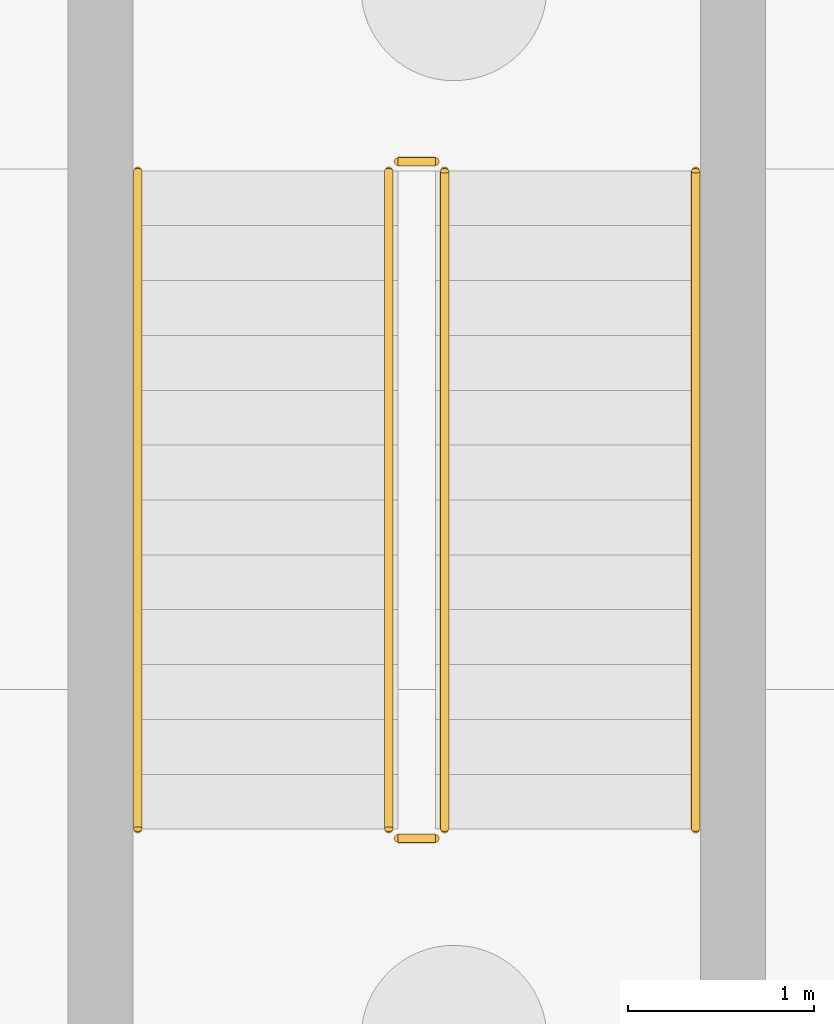
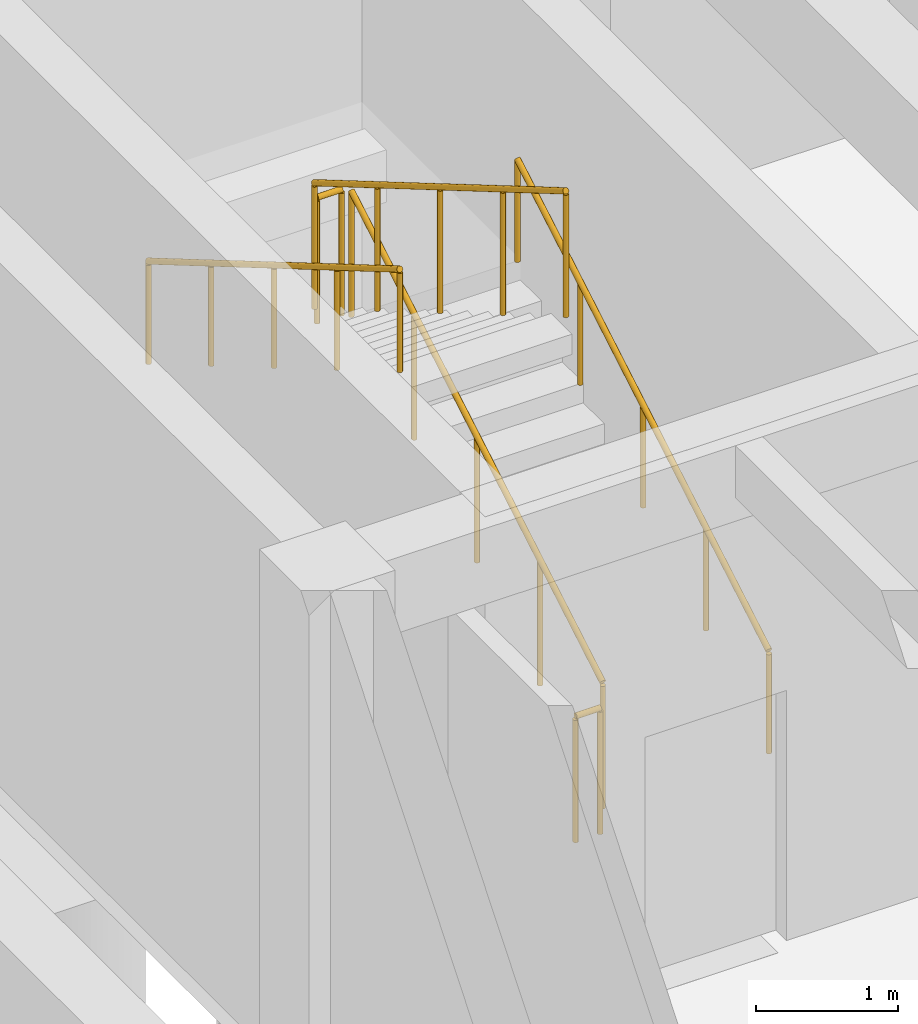
# One storey, part 42 of 44: 6 railings.
"""IFC4 building model written with IfcOpenShell, lengths in metres."""

from ifc_helpers import new_model, si_unit, direction, frame, origin, origin_2d, place, context, subcontext, project, spatial, circle, extrude, material, layer, layer_set, type_object, element, save


model = new_model("IFC4")

# Units and contexts
model_context = context("Model", 3, precision=1e-05, world=origin(), true_north=direction((0.0, 1.0)))
body_context = subcontext(model_context, "Body", "Model", "MODEL_VIEW")
ifc_project = project(units=[si_unit("LENGTHUNIT", "METRE"), si_unit("AREAUNIT", "SQUARE_METRE"), si_unit("VOLUMEUNIT", "CUBIC_METRE"), si_unit("PLANEANGLEUNIT", "RADIAN"), si_unit("MASSUNIT", "GRAM", prefix="KILO")], contexts=[model_context])

# Site, building, storey
site_placement = place(None, origin())
site = spatial("IfcSite", under=ifc_project, at=site_placement, CompositionType="ELEMENT")
building_placement = place(site_placement, origin())
building = spatial("IfcBuilding", under=site, at=building_placement, Name="Kolvaren Faculty of Natural Sciences", CompositionType="ELEMENT")
storey_placement = place(building_placement, frame((0.0, 0.0, -4.5)))
storey = spatial("IfcBuildingStorey", under=building, at=storey_placement, Name="B01", CompositionType="ELEMENT", Elevation=-4.5)

# Railings
ifc_material = material(Name="Structural steel EN 10210-1 S355J2H", Category="steel")
ifc_layer_1 = layer(ifc_material, 0.048095703125)
ifc_layer_set_1 = layer_set([ifc_layer_1], Name="Structural steel EN 10210-1 S355J2H")
railing_type_1 = type_object("IfcRailingType", Name="StairPitchHandrail_920", PredefinedType="HANDRAIL", material=ifc_layer_set_1)
railing_1_placement = place(storey_placement, frame((37.800048828125, 35.550048828125, 0.173095703125)))
element("IfcRailing", 1, at=railing_1_placement, inside=storey, type_object=railing_type_1, Name="B01 ST-4 stair handrail 1", PredefinedType="HANDRAIL", context=body_context, shape_type="SweptSolid", body=[
    extrude(circle(Radius=0.02392578125, at=origin_2d()), frame((0.0, 0.0, 0.8759765625), z_axis=(0.0, 0.862516251723, 0.506029362304), x_axis=(-1.0, 0.0, 0.0)), (0.0, 0.0, 1.0), 4.104248046875),
    extrude(circle(Radius=0.02099609375, at=origin_2d()), origin(), (0.0, 0.0, 1.0), 0.851806640625),
    extrude(circle(Radius=0.02099609375, at=origin_2d()), frame((0.0, 0.885009765625, 0.519287109375)), (0.0, 0.0, 1.0), 0.851806640625),
    extrude(circle(Radius=0.02099609375, at=origin_2d()), frame((0.0, 1.77001953125, 1.03857421875)), (0.0, 0.0, 1.0), 0.851806640625),
    extrude(circle(Radius=0.02099609375, at=origin_2d()), frame((0.0, 2.655029296875, 1.5576171875)), (0.0, 0.0, 1.0), 0.851806640625),
    extrude(circle(Radius=0.02099609375, at=origin_2d()), frame((0.0, 3.5400390625, 2.076904296875)), (0.0, 0.0, 1.0), 0.851806640625),
])
railing_2_placement = place(storey_placement, frame((34.800048828125, 39.090087890625, 2.423095703125)))
element("IfcRailing", 2, at=railing_2_placement, inside=storey, type_object=railing_type_1, Name="B01 ST-4 stair handrail 2", PredefinedType="HANDRAIL", context=body_context, shape_type="SweptSolid", body=[
    extrude(circle(Radius=0.02392578125, at=origin_2d()), frame((0.0, 0.0, 0.8759765625), z_axis=(0.0, -0.862516251723, 0.506029362304), x_axis=(1.0, 0.0, 0.0)), (0.0, 0.0, 1.0), 4.104248046875),
    extrude(circle(Radius=0.02099609375, at=origin_2d()), origin(), (0.0, 0.0, 1.0), 0.851806640625),
    extrude(circle(Radius=0.02099609375, at=origin_2d()), frame((0.0, -0.885009765625, 0.519287109375)), (0.0, 0.0, 1.0), 0.851806640625),
    extrude(circle(Radius=0.02099609375, at=origin_2d()), frame((0.0, -1.77001953125, 1.03857421875)), (0.0, 0.0, 1.0), 0.851806640625),
    extrude(circle(Radius=0.02099609375, at=origin_2d()), frame((0.0, -2.655029296875, 1.5576171875)), (0.0, 0.0, 1.0), 0.851806640625),
    extrude(circle(Radius=0.02099609375, at=origin_2d()), frame((0.0, -3.5400390625, 2.076904296875)), (0.0, 0.0, 1.0), 0.851806640625),
])
ifc_layer_2 = layer(ifc_material, 0.048095703125)
ifc_layer_set_2 = layer_set([ifc_layer_2], Name="Structural steel EN 10210-1 S355J2H")
railing_type_2 = type_object("IfcRailingType", Name="StairWellGuard_1100", PredefinedType="BALUSTRADE", material=ifc_layer_set_2)
railing_3_placement = place(storey_placement, frame((36.449951171875, 35.550048828125, 0.173095703125)))
element("IfcRailing", 3, at=railing_3_placement, inside=storey, type_object=railing_type_2, Name="B01 ST-4 stair guard 1", PredefinedType="BALUSTRADE", context=body_context, shape_type="SweptSolid", body=[
    extrude(circle(Radius=0.02392578125, at=origin_2d()), frame((0.0, 0.0, 1.076171875), z_axis=(0.0, 0.862516251723, 0.506029362304), x_axis=(-1.0, 0.0, 0.0)), (0.0, 0.0, 1.0), 4.104248046875),
    extrude(circle(Radius=0.02099609375, at=origin_2d()), origin(), (0.0, 0.0, 1.0), 1.052001953125),
    extrude(circle(Radius=0.02099609375, at=origin_2d()), frame((0.0, 0.885009765625, 0.519287109375)), (0.0, 0.0, 1.0), 1.052001953125),
    extrude(circle(Radius=0.02099609375, at=origin_2d()), frame((0.0, 1.77001953125, 1.03857421875)), (0.0, 0.0, 1.0), 1.052001953125),
    extrude(circle(Radius=0.02099609375, at=origin_2d()), frame((0.0, 2.655029296875, 1.5576171875)), (0.0, 0.0, 1.0), 1.052001953125),
    extrude(circle(Radius=0.02099609375, at=origin_2d()), frame((0.0, 3.5400390625, 2.076904296875)), (0.0, 0.0, 1.0), 1.052001953125),
])
railing_4_placement = place(storey_placement, frame((36.39990234375, 39.139892578125, 2.25)))
element("IfcRailing", 4, at=railing_4_placement, inside=storey, type_object=railing_type_2, Name="B01 ST-4 stair guard 2", PredefinedType="BALUSTRADE", context=body_context, shape_type="SweptSolid", body=[
    extrude(circle(Radius=0.02392578125, at=origin_2d()), frame((0.0, 0.0, 1.076171875), z_axis=(-1.0, 0.0, 0.0), x_axis=(0.0, -1.0, 0.0)), (0.0, 0.0, 1.0), 0.199951171875),
    extrude(circle(Radius=0.02099609375, at=origin_2d()), origin(), (0.0, 0.0, 1.0), 1.052001953125),
    extrude(circle(Radius=0.02099609375, at=origin_2d()), frame((-0.199951171875, 0.0, 0.0)), (0.0, 0.0, 1.0), 1.052001953125),
])
railing_5_placement = place(storey_placement, frame((36.14990234375, 39.090087890625, 2.423095703125)))
element("IfcRailing", 5, at=railing_5_placement, inside=storey, type_object=railing_type_2, Name="B01 ST-4 stair guard 3", PredefinedType="BALUSTRADE", context=body_context, shape_type="SweptSolid", body=[
    extrude(circle(Radius=0.02392578125, at=origin_2d()), frame((0.0, 0.0, 1.076171875), z_axis=(0.0, -0.862516251723, 0.506029362304), x_axis=(1.0, 0.0, 0.0)), (0.0, 0.0, 1.0), 4.104248046875),
    extrude(circle(Radius=0.02099609375, at=origin_2d()), origin(), (0.0, 0.0, 1.0), 1.052001953125),
    extrude(circle(Radius=0.02099609375, at=origin_2d()), frame((0.0, -0.885009765625, 0.519287109375)), (0.0, 0.0, 1.0), 1.052001953125),
    extrude(circle(Radius=0.02099609375, at=origin_2d()), frame((0.0, -1.77001953125, 1.03857421875)), (0.0, 0.0, 1.0), 1.052001953125),
    extrude(circle(Radius=0.02099609375, at=origin_2d()), frame((0.0, -2.655029296875, 1.5576171875)), (0.0, 0.0, 1.0), 1.052001953125),
    extrude(circle(Radius=0.02099609375, at=origin_2d()), frame((0.0, -3.5400390625, 2.076904296875)), (0.0, 0.0, 1.0), 1.052001953125),
])
railing_6_placement = place(storey_placement, frame((36.39990234375, 35.5, 0.0)))
element("IfcRailing", 6, at=railing_6_placement, inside=storey, type_object=railing_type_2, Name="B01 ST-4 stair guard 4", PredefinedType="BALUSTRADE", context=body_context, shape_type="SweptSolid", body=[
    extrude(circle(Radius=0.02392578125, at=origin_2d()), frame((0.0, 0.0, 1.076171875), z_axis=(-1.0, 0.0, 0.0), x_axis=(0.0, -1.0, 0.0)), (0.0, 0.0, 1.0), 0.199951171875),
    extrude(circle(Radius=0.02099609375, at=origin_2d()), origin(), (0.0, 0.0, 1.0), 1.052001953125),
    extrude(circle(Radius=0.02099609375, at=origin_2d()), frame((-0.199951171875, 0.0, 0.0)), (0.0, 0.0, 1.0), 1.052001953125),
])

save(model, "model.ifc")
